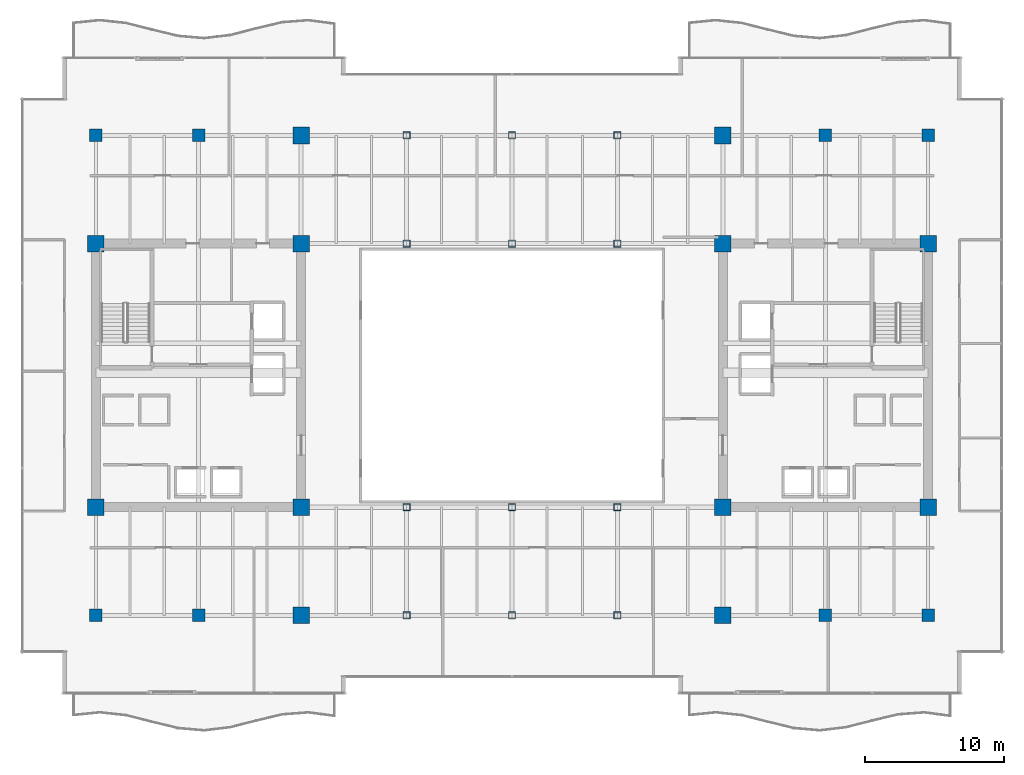
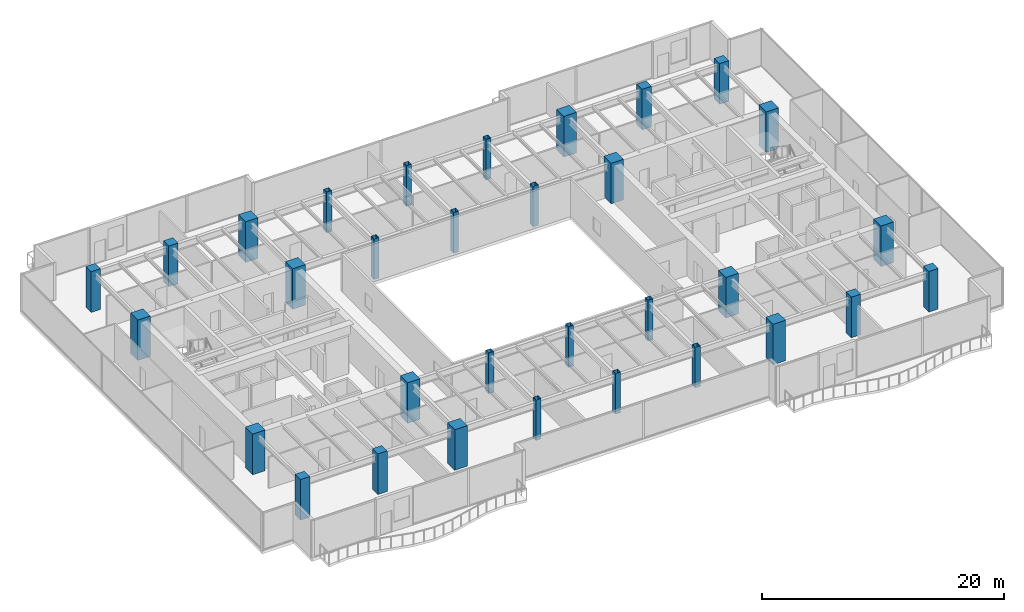
# One storey, part 1 of 30: 32 columns.
"""IFC4 building model written with IfcOpenShell, lengths in metres."""

from ifc_helpers import new_model, si_unit, direction, frame, origin, origin_2d, place, context, subcontext, project, spatial, rectangle, hollow_rectangle, extrude, source, transform, mapped, material, material_profile, profile_set, type_object, type_shapes, element, save


model = new_model("IFC4")

# Units and contexts
model_context = context("Model", 3, precision=1e-05, world=origin(), true_north=direction((0.0, 1.0)))
body_context = subcontext(model_context, "Body", "Model", "MODEL_VIEW")
ifc_project = project(units=[si_unit("LENGTHUNIT", "METRE"), si_unit("AREAUNIT", "SQUARE_METRE"), si_unit("VOLUMEUNIT", "CUBIC_METRE"), si_unit("PLANEANGLEUNIT", "RADIAN"), si_unit("MASSUNIT", "GRAM", prefix="KILO")], contexts=[model_context])

# Site, building, storey
site_placement = place(None, origin())
site = spatial("IfcSite", under=ifc_project, at=site_placement, CompositionType="ELEMENT")
building_placement = place(site_placement, origin())
building = spatial("IfcBuilding", under=site, at=building_placement, Name="Haelvirn Gate Laboratories", CompositionType="ELEMENT")
storey_placement = place(building_placement, frame((0.0, 0.0, 146.10009765625)))
storey = spatial("IfcBuildingStorey", under=building, at=storey_placement, Name="L35", CompositionType="ELEMENT", Elevation=146.10009765625)

# Columns
ifc_material_1 = material(Name="Concrete C50/60", Category="concrete")
ifc_material_profile_1 = material_profile(ifc_material_1, rectangle(XDim=0.89990234375, YDim=0.89990234375, at=origin_2d()), Name="RC-900x900")
ifc_profile_set_1 = profile_set([ifc_material_profile_1], Name="Concrete C50/60")
column_type_1 = type_object("IfcColumnType", Name="COL-RC-900", PredefinedType="COLUMN", material=ifc_profile_set_1)
shared_shape_1 = source(origin(), body_context, "Body", "SweptSolid", [
    extrude(rectangle(XDim=0.89990234375, YDim=0.89990234375, at=origin_2d()), origin(), (0.0, 0.0, 1.0), 4.099853515625),
])
type_shapes(column_type_1, [shared_shape_1])
for number, where, z_axis, x_axis, name in (
    (1, (14.800048828125, 7.0, 0.0), (0.0, 0.0, 1.0), (1.0, 0.0, 0.0), "L35 Column 3B"),
    (2, (14.800048828125, 41.60009765625, 0.0), (0.0, 0.0, 1.0), (1.0, 0.0, 0.0), "L35 Column 3G"),
    (3, (60.0, 7.0, 0.0), (0.0, 0.0, 1.0), (1.0, 0.0, 0.0), "L35 Column 9B"),
    (4, (60.0, 41.60009765625, 0.0), (0.0, 0.0, 1.0), (1.0, 0.0, 0.0), "L35 Column 9G"),
    (5, (7.39990234375, 7.0, 0.0), (0.0, 0.0, 1.0), (1.0, 0.0, 0.0), "L35 Column 2B"),
    (6, (7.39990234375, 41.60009765625, 0.0), (0.0, 0.0, 1.0), (1.0, 0.0, 0.0), "L35 Column 2G"),
    (7, (67.39990234375, 7.0, 0.0), (0.0, 0.0, 1.0), (1.0, 0.0, 0.0), "L35 Column 10B"),
    (8, (67.39990234375, 41.60009765625, 0.0), (0.0, 0.0, 1.0), (1.0, 0.0, 0.0), "L35 Column 10G"),
):
    element("IfcColumn", number, at=place(storey_placement, frame(where, z_axis=z_axis, x_axis=x_axis)), inside=storey, type_object=column_type_1, Name=name, PredefinedType="COLUMN", context=body_context, shape_type="MappedRepresentation", body=[
        mapped(shared_shape_1, transform((0.0, 0.0, 0.0), scale=1.0)),
    ])
ifc_material_2 = material(Name="Concrete C60/75", Category="concrete")
ifc_material_profile_2 = material_profile(ifc_material_2, rectangle(XDim=1.199951171875, YDim=1.199951171875, at=origin_2d()), Name="SRC-1200x1200")
ifc_profile_set_2 = profile_set([ifc_material_profile_2], Name="Concrete C60/75")
column_type_2 = type_object("IfcColumnType", Name="COL-SRC-1200", PredefinedType="COLUMN", material=ifc_profile_set_2)
shared_shape_2 = source(origin(), body_context, "Body", "SweptSolid", [
    extrude(rectangle(XDim=1.199951171875, YDim=1.199951171875, at=origin_2d()), origin(), (0.0, 0.0, 1.0), 4.099853515625),
])
type_shapes(column_type_2, [shared_shape_2])
for number, where, z_axis, x_axis, name in (
    (9, (22.199951171875, 7.0, 0.0), (0.0, 0.0, 1.0), (1.0, 0.0, 0.0), "L35 Column 4B"),
    (10, (7.39990234375, 14.800048828125, 0.0), (0.0, 0.0, 1.0), (1.0, 0.0, 0.0), "L35 Column 2C"),
    (11, (22.199951171875, 14.800048828125, 0.0), (0.0, 0.0, 1.0), (1.0, 0.0, 0.0), "L35 Column 4C"),
    (12, (7.39990234375, 33.800048828125, 0.0), (0.0, 0.0, 1.0), (1.0, 0.0, 0.0), "L35 Column 2F"),
    (13, (22.199951171875, 33.800048828125, 0.0), (0.0, 0.0, 1.0), (1.0, 0.0, 0.0), "L35 Column 4F"),
    (14, (22.199951171875, 41.60009765625, 0.0), (0.0, 0.0, 1.0), (1.0, 0.0, 0.0), "L35 Column 4G"),
    (15, (52.60009765625, 7.0, 0.0), (0.0, 0.0, 1.0), (1.0, 0.0, 0.0), "L35 Column 8B"),
    (16, (52.60009765625, 14.800048828125, 0.0), (0.0, 0.0, 1.0), (1.0, 0.0, 0.0), "L35 Column 8C"),
    (17, (67.39990234375, 14.800048828125, 0.0), (0.0, 0.0, 1.0), (1.0, 0.0, 0.0), "L35 Column 10C"),
    (18, (52.60009765625, 33.800048828125, 0.0), (0.0, 0.0, 1.0), (1.0, 0.0, 0.0), "L35 Column 8F"),
    (19, (67.39990234375, 33.800048828125, 0.0), (0.0, 0.0, 1.0), (1.0, 0.0, 0.0), "L35 Column 10F"),
    (20, (52.60009765625, 41.60009765625, 0.0), (0.0, 0.0, 1.0), (1.0, 0.0, 0.0), "L35 Column 8G"),
):
    element("IfcColumn", number, at=place(storey_placement, frame(where, z_axis=z_axis, x_axis=x_axis)), inside=storey, type_object=column_type_2, Name=name, PredefinedType="COLUMN", context=body_context, shape_type="MappedRepresentation", body=[
        mapped(shared_shape_2, transform((0.0, 0.0, 0.0), scale=1.0)),
    ])
ifc_material_3 = material(Name="Steel SM355", Category="steel")
ifc_material_profile_3 = material_profile(ifc_material_3, hollow_rectangle(XDim=0.5, YDim=0.5, WallThickness=0.02197265625, at=origin_2d()), Name="BOX-500x500x22")
ifc_profile_set_3 = profile_set([ifc_material_profile_3], Name="Steel SM355")
column_type_3 = type_object("IfcColumnType", Name="COL-BOX-500", PredefinedType="COLUMN", material=ifc_profile_set_3)
shared_shape_3 = source(origin(), body_context, "Body", "SweptSolid", [
    extrude(hollow_rectangle(XDim=0.5, YDim=0.5, WallThickness=0.02197265625, at=origin_2d()), origin(), (0.0, 0.0, 1.0), 4.099853515625),
])
type_shapes(column_type_3, [shared_shape_3])
for number, where, z_axis, x_axis, name in (
    (21, (29.800048828125, 7.0, 0.0), (0.0, 0.0, 1.0), (1.0, 0.0, 0.0), "L35 Column 5B"),
    (22, (29.800048828125, 14.800048828125, 0.0), (0.0, 0.0, 1.0), (1.0, 0.0, 0.0), "L35 Column 5C"),
    (23, (29.800048828125, 33.800048828125, 0.0), (0.0, 0.0, 1.0), (1.0, 0.0, 0.0), "L35 Column 5F"),
    (24, (29.800048828125, 41.60009765625, 0.0), (0.0, 0.0, 1.0), (1.0, 0.0, 0.0), "L35 Column 5G"),
    (25, (37.39990234375, 7.0, 0.0), (0.0, 0.0, 1.0), (1.0, 0.0, 0.0), "L35 Column 6B"),
    (26, (37.39990234375, 14.800048828125, 0.0), (0.0, 0.0, 1.0), (1.0, 0.0, 0.0), "L35 Column 6C"),
    (27, (37.39990234375, 33.800048828125, 0.0), (0.0, 0.0, 1.0), (1.0, 0.0, 0.0), "L35 Column 6F"),
    (28, (37.39990234375, 41.60009765625, 0.0), (0.0, 0.0, 1.0), (1.0, 0.0, 0.0), "L35 Column 6G"),
    (29, (45.0, 7.0, 0.0), (0.0, 0.0, 1.0), (1.0, 0.0, 0.0), "L35 Column 7B"),
    (30, (45.0, 14.800048828125, 0.0), (0.0, 0.0, 1.0), (1.0, 0.0, 0.0), "L35 Column 7C"),
    (31, (45.0, 33.800048828125, 0.0), (0.0, 0.0, 1.0), (1.0, 0.0, 0.0), "L35 Column 7F"),
    (32, (45.0, 41.60009765625, 0.0), (0.0, 0.0, 1.0), (1.0, 0.0, 0.0), "L35 Column 7G"),
):
    element("IfcColumn", number, at=place(storey_placement, frame(where, z_axis=z_axis, x_axis=x_axis)), inside=storey, type_object=column_type_3, Name=name, PredefinedType="COLUMN", context=body_context, shape_type="MappedRepresentation", body=[
        mapped(shared_shape_3, transform((0.0, 0.0, 0.0), scale=1.0)),
    ])

save(model, "model.ifc")
